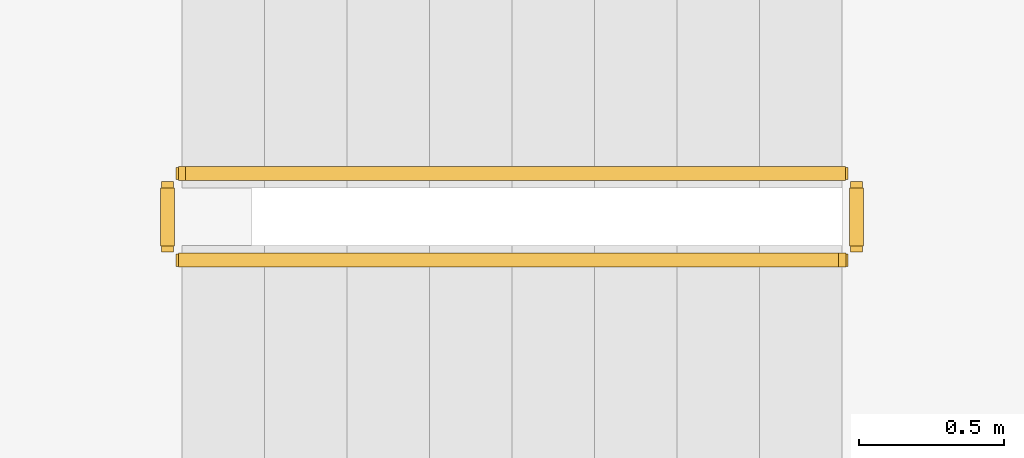
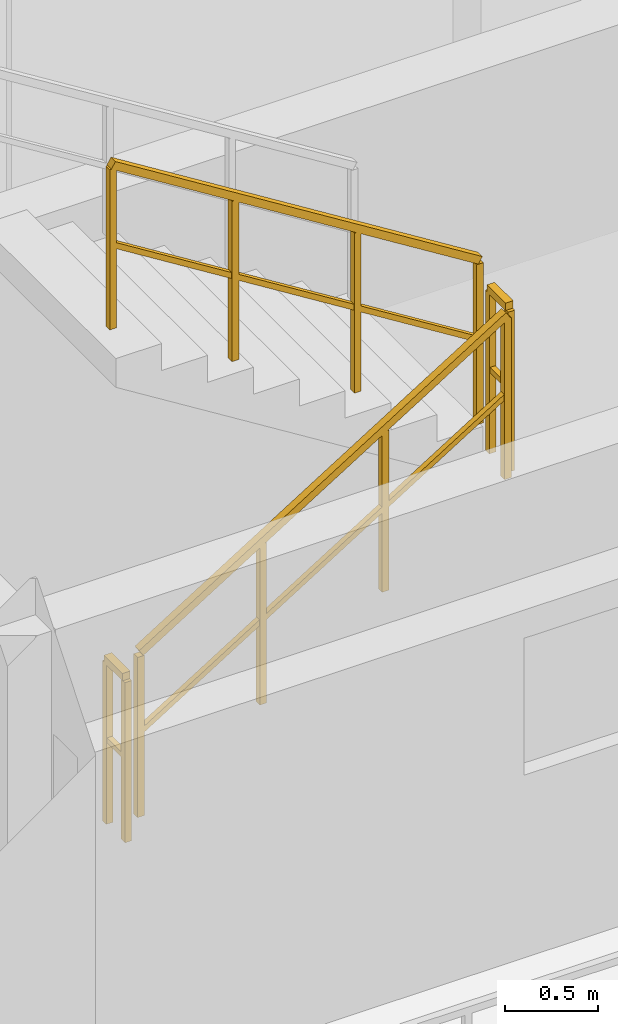
# One storey, part 68 of 78: 4 railings.
"""IFC4 building model written with IfcOpenShell, lengths in metres."""

import ifcopenshell
import ifcopenshell.guid

model = None  # the IFC model being written
_history = None  # IfcOwnerHistory: only IFC2X3 demands one
_inside = {}  # id of a spatial element -> (the spatial element, [elements in it])
_under = {}  # id of a project, library or spatial element -> (it, [spatial elements below it])
_declared = {}  # id of a project -> (the project, [libraries it declares])
_typed = {}  # id of a type object -> (the type object, [elements of that type])
_made_of = {}  # id of a material, layer set ... -> (it, [elements and type objects made of it])


def new_model(schema):
    """Start an empty IFC model of exactly this schema.

    Asked for "IFC4X3", IfcOpenShell would pick the latest addendum, in which some entities
    have other attributes; the version numbers below select the first issue.
    IFC2X3 requires an IfcOwnerHistory on every rooted entity: one is made here for all.
    """
    global model, _history
    if schema == "IFC4X3":
        model = ifcopenshell.file(schema_version=(4, 3, 0, 0))
    else:
        model = ifcopenshell.file(schema=schema)
    _inside.clear()
    _under.clear()
    _declared.clear()
    _typed.clear()
    _made_of.clear()
    _history = None
    if model.schema == "IFC2X3":
        org = make("IfcOrganization", Name="unknown")
        user = make(
            "IfcPersonAndOrganization",
            ThePerson=make("IfcPerson", FamilyName="unknown"),
            TheOrganization=org,
        )
        app = make(
            "IfcApplication",
            ApplicationDeveloper=org,
            Version="unknown",
            ApplicationFullName="unknown",
            ApplicationIdentifier="unknown",
        )
        _history = make(
            "IfcOwnerHistory",
            OwningUser=user,
            OwningApplication=app,
            ChangeAction="ADDED",
            CreationDate=0,
        )
    return model


def make(cls, **values):
    """One entity of the class cls with the attributes given. An attribute that is None is left unset."""
    return model.create_entity(
        cls, **{name: value for name, value in values.items() if value is not None}
    )


def rooted(cls, **values):
    """An entity with a GlobalId (a new one), such as an element, a storey or a relation."""
    return make(cls, GlobalId=ifcopenshell.guid.new(), OwnerHistory=_history, **values)


def si_unit(unit_type, name, prefix=None):
    """IfcSIUnit, for example si_unit("LENGTHUNIT", "METRE", prefix="MILLI")."""
    return make("IfcSIUnit", UnitType=unit_type, Prefix=prefix, Name=name)


def assignment(units):
    """IfcUnitAssignment: the units of a project."""
    return None if units is None else make("IfcUnitAssignment", Units=units)


def point(xyz):
    """IfcCartesianPoint."""
    return None if xyz is None else make("IfcCartesianPoint", Coordinates=xyz)


def direction(xyz):
    """IfcDirection."""
    return None if xyz is None else make("IfcDirection", DirectionRatios=xyz)


def frame(location, z_axis=None, x_axis=None):
    """IfcAxis2Placement3D, a coordinate frame: its origin and axes. An axis left out is left unset."""
    return make(
        "IfcAxis2Placement3D",
        Location=point(location),
        Axis=direction(z_axis),
        RefDirection=direction(x_axis),
    )


def frame_2d(location, x_axis=None):
    """IfcAxis2Placement2D, a coordinate frame in the plane: its origin and x axis."""
    return make(
        "IfcAxis2Placement2D", Location=point(location), RefDirection=direction(x_axis)
    )


def origin():
    """The frame at (0, 0, 0) with its axes left unset."""
    return frame((0.0, 0.0, 0.0))


def origin_2d():
    """The frame at (0, 0) in the plane with its x axis left unset."""
    return frame_2d((0.0, 0.0))


def place(relative_to, where):
    """IfcLocalPlacement: puts the frame where relative to a parent placement (None: the world)."""
    return make(
        "IfcLocalPlacement", PlacementRelTo=relative_to, RelativePlacement=where
    )


def context(
    kind, dimensions, precision=None, world=None, true_north=None, identifier=None
):
    """IfcGeometricRepresentationContext, for example the 3D "Model" context."""
    return make(
        "IfcGeometricRepresentationContext",
        ContextIdentifier=identifier,
        ContextType=kind,
        CoordinateSpaceDimension=dimensions,
        Precision=precision,
        WorldCoordinateSystem=world,
        TrueNorth=true_north,
    )


def subcontext(parent, identifier, kind, view, scale=None):
    """IfcGeometricRepresentationSubContext, for example "Body" below "Model"."""
    return make(
        "IfcGeometricRepresentationSubContext",
        ContextIdentifier=identifier,
        ContextType=kind,
        ParentContext=parent,
        TargetScale=scale,
        TargetView=view,
    )


def project(units=None, contexts=None):
    """IfcProject with its units and contexts."""
    return rooted(
        "IfcProject",
        Name="project",
        RepresentationContexts=contexts,
        UnitsInContext=assignment(units),
    )


def spatial(cls, under=None, at=None, **own):
    """A site, building, storey or space (cls), placed at a placement, below another one or the project."""
    s = rooted(cls, ObjectPlacement=at, **own)
    if under is not None:
        _under.setdefault(under.id(), (under, []))[1].append(s)
    return s


def profile(cls, at=None, kind="AREA", **sizes):
    """A parametric profile (cls). Its sizes go by their IFC names, for example OverallWidth=200.0."""
    return make(cls, ProfileType=kind, Position=at, **sizes)


def rectangle(**sizes):
    """IfcRectangleProfileDef."""
    return profile("IfcRectangleProfileDef", **sizes)


def extrude(swept, where, along, depth):
    """IfcExtrudedAreaSolid: the profile swept, set in the frame where, extruded along a direction by depth."""
    return make(
        "IfcExtrudedAreaSolid",
        SweptArea=swept,
        Position=where,
        ExtrudedDirection=direction(along),
        Depth=depth,
    )


def shape(context_of_items, identifier, shape_type, items):
    """IfcShapeRepresentation: the items that make up one representation, for example the "Body"."""
    return make(
        "IfcShapeRepresentation",
        ContextOfItems=context_of_items,
        RepresentationIdentifier=identifier,
        RepresentationType=shape_type,
        Items=items,
    )


def material(Name=None, Category=None):
    """IfcMaterial."""
    return make("IfcMaterial", Name=Name, Category=Category)


def made_of(thing, what):
    """Note that an element or type object is made of a material, layer set ...; save() writes the relation."""
    if what is not None:
        _made_of.setdefault(what.id(), (what, []))[1].append(thing)
    return thing


def type_object(cls, material=None, **own):
    """A type object (cls), such as IfcWallType, which elements share."""
    return made_of(rooted(cls, **own), material)


def element(
    cls,
    number,
    at=None,
    inside=None,
    cuts=None,
    type_object=None,
    material=None,
    context=None,
    identifier="Body",
    shape_type=None,
    held_by="IfcProductDefinitionShape",
    body=None,
    shapes=None,
    **own,
):
    """One element of the class cls, such as IfcWall. Its Tag is "e" and its number.

    at: its placement. inside: the storey or other place that contains it. cuts: it is an
    opening in that element (IfcRelVoidsElement). A single representation is given by context,
    identifier, shape_type and body (its items); several are given by shapes. held_by: the class
    of the entity that holds the representations. save() writes the other relations.
    """
    e = rooted(cls, Tag="e%d" % number, ObjectPlacement=at, **own)
    if body is not None:
        shapes = [shape(context, identifier, shape_type, body)]
    if shapes is not None:
        e.Representation = make(held_by, Representations=shapes)
    if inside is not None:
        _inside.setdefault(inside.id(), (inside, []))[1].append(e)
    if cuts is not None:
        rooted(
            "IfcRelVoidsElement", RelatingBuildingElement=cuts, RelatedOpeningElement=e
        )
    if type_object is not None:
        _typed.setdefault(type_object.id(), (type_object, []))[1].append(e)
    return made_of(e, material)


def aggregate(whole, parts):
    """IfcRelAggregates: a whole, such as a stair, and the parts it consists of."""
    return rooted("IfcRelAggregates", RelatingObject=whole, RelatedObjects=parts)


def save(model, path):
    """Write the relations noted so far, then the file.

    IfcRelAggregates (storeys below a building ...), IfcRelContainedInSpatialStructure (elements
    in a storey), IfcRelDefinesByType, IfcRelAssociatesMaterial and IfcRelDeclares: one each for
    every whole, place, type object, material and project.
    """
    for whole, parts in _under.values():
        aggregate(whole, parts)
    for where, things in _inside.values():
        rooted(
            "IfcRelContainedInSpatialStructure",
            RelatedElements=things,
            RelatingStructure=where,
        )
    for kind, things in _typed.values():
        rooted("IfcRelDefinesByType", RelatedObjects=things, RelatingType=kind)
    for what, things in _made_of.values():
        rooted("IfcRelAssociatesMaterial", RelatedObjects=things, RelatingMaterial=what)
    for by, libraries in _declared.values():
        rooted("IfcRelDeclares", RelatingContext=by, RelatedDefinitions=libraries)
    model.write(path)


model = new_model("IFC4")

# Units and contexts
model_context = context("Model", 3, precision=1e-05, world=origin(), true_north=direction((0.0, 1.0)))
body_context = subcontext(model_context, "Body", "Model", "MODEL_VIEW")
ifc_project = project(units=[si_unit("LENGTHUNIT", "METRE"), si_unit("AREAUNIT", "SQUARE_METRE"), si_unit("VOLUMEUNIT", "CUBIC_METRE"), si_unit("PLANEANGLEUNIT", "RADIAN"), si_unit("MASSUNIT", "GRAM", prefix="KILO")], contexts=[model_context])

# Site, building, storey
site_placement = place(None, origin())
site = spatial("IfcSite", under=ifc_project, at=site_placement, CompositionType="ELEMENT")
building_placement = place(site_placement, origin())
building = spatial("IfcBuilding", under=site, at=building_placement, Name="Suanplinth Sawtooth Commons", CompositionType="ELEMENT")
storey_placement = place(building_placement, frame((0.0, 0.0, 15.39990234375)))
storey = spatial("IfcBuildingStorey", under=building, at=storey_placement, Name="L04", CompositionType="ELEMENT", Elevation=15.39990234375)

# Railings
ifc_material = material(Name="Stainless steel Grade 304", Category="steel")
railing_type = type_object("IfcRailingType", Name="GR-04", PredefinedType="GUARDRAIL", material=ifc_material)
railing_1_placement = place(storey_placement, frame((45.050048828125, 109.85009765625, 0.177978515625)))
element("IfcRailing", 1, at=railing_1_placement, inside=storey, type_object=railing_type, Name="L04 ST-N1 Guard 1", PredefinedType="GUARDRAIL", context=body_context, shape_type="SweptSolid", body=[
    extrude(rectangle(XDim=0.048095703125, YDim=0.048095703125, at=origin_2d()), frame((0.0, 0.0, 1.076171875), z_axis=(0.848482842525, 0.0, 0.529222888715), x_axis=(0.0, 1.0, 0.0)), (0.0, 0.0, 1.0), 2.687255859375),
    extrude(rectangle(XDim=0.03369140625, YDim=0.03369140625, at=origin_2d()), frame((0.0, 0.0, 0.550048828125), z_axis=(0.848482842525, 0.0, 0.529222888715), x_axis=(0.0, 1.0, 0.0)), (0.0, 0.0, 1.0), 2.687255859375),
    extrude(rectangle(XDim=0.0419921875, YDim=0.0419921875, at=origin_2d()), origin(), (0.0, 0.0, 1.0), 1.052001953125),
    extrude(rectangle(XDim=0.0419921875, YDim=0.0419921875, at=origin_2d()), frame((0.760009765625, 0.0, 0.47412109375)), (0.0, 0.0, 1.0), 1.052001953125),
    extrude(rectangle(XDim=0.0419921875, YDim=0.0419921875, at=origin_2d()), frame((1.52001953125, 0.0, 0.947998046875)), (0.0, 0.0, 1.0), 1.052001953125),
    extrude(rectangle(XDim=0.0419921875, YDim=0.0419921875, at=origin_2d()), frame((2.280029296875, 0.0, 1.422119140625)), (0.0, 0.0, 1.0), 1.052001953125),
])
railing_2_placement = place(storey_placement, frame((47.3798828125, 109.89990234375, 1.60009765625)))
element("IfcRailing", 2, at=railing_2_placement, inside=storey, type_object=railing_type, Name="L04 ST-N1 Guard 2", PredefinedType="GUARDRAIL", context=body_context, shape_type="SweptSolid", body=[
    extrude(rectangle(XDim=0.048095703125, YDim=0.048095703125, at=origin_2d()), frame((0.0, 0.0, 1.076171875), z_axis=(0.0, 1.0, 0.0), x_axis=(-1.0, 0.0, 0.0)), (0.0, 0.0, 1.0), 0.2001953125),
    extrude(rectangle(XDim=0.03369140625, YDim=0.03369140625, at=origin_2d()), frame((0.0, 0.0, 0.550048828125), z_axis=(0.0, 1.0, 0.0), x_axis=(-1.0, 0.0, 0.0)), (0.0, 0.0, 1.0), 0.2001953125),
    extrude(rectangle(XDim=0.0419921875, YDim=0.0419921875, at=origin_2d()), origin(), (0.0, 0.0, 1.0), 1.052001953125),
    extrude(rectangle(XDim=0.0419921875, YDim=0.0419921875, at=origin_2d()), frame((0.0, 0.2001953125, 0.0)), (0.0, 0.0, 1.0), 1.052001953125),
])
railing_3_placement = place(storey_placement, frame((47.330078125, 110.14990234375, 1.77783203125)))
element("IfcRailing", 3, at=railing_3_placement, inside=storey, type_object=railing_type, Name="L04 ST-N1 Guard 3", PredefinedType="GUARDRAIL", context=body_context, shape_type="SweptSolid", body=[
    extrude(rectangle(XDim=0.048095703125, YDim=0.048095703125, at=origin_2d()), frame((0.0, 0.0, 1.076171875), z_axis=(-0.848442045328, 0.0, 0.529288291689), x_axis=(0.0, -1.0, 0.0)), (0.0, 0.0, 1.0), 2.687255859375),
    extrude(rectangle(XDim=0.03369140625, YDim=0.03369140625, at=origin_2d()), frame((0.0, 0.0, 0.550048828125), z_axis=(-0.848442045328, 0.0, 0.529288291689), x_axis=(0.0, -1.0, 0.0)), (0.0, 0.0, 1.0), 2.687255859375),
    extrude(rectangle(XDim=0.0419921875, YDim=0.0419921875, at=origin_2d()), origin(), (0.0, 0.0, 1.0), 1.052001953125),
    extrude(rectangle(XDim=0.0419921875, YDim=0.0419921875, at=origin_2d()), frame((-0.760009765625, 0.0, 0.47412109375)), (0.0, 0.0, 1.0), 1.052001953125),
    extrude(rectangle(XDim=0.0419921875, YDim=0.0419921875, at=origin_2d()), frame((-1.52001953125, 0.0, 0.9482421875)), (0.0, 0.0, 1.0), 1.052001953125),
    extrude(rectangle(XDim=0.0419921875, YDim=0.0419921875, at=origin_2d()), frame((-2.280029296875, 0.0, 1.42236328125)), (0.0, 0.0, 1.0), 1.052001953125),
])
railing_4_placement = place(storey_placement, frame((45.0, 109.89990234375, 0.0)))
element("IfcRailing", 4, at=railing_4_placement, inside=storey, type_object=railing_type, Name="L04 ST-N1 Guard 4", PredefinedType="GUARDRAIL", context=body_context, shape_type="SweptSolid", body=[
    extrude(rectangle(XDim=0.048095703125, YDim=0.048095703125, at=origin_2d()), frame((0.0, 0.0, 1.076171875), z_axis=(0.0, 1.0, 0.0), x_axis=(-1.0, 0.0, 0.0)), (0.0, 0.0, 1.0), 0.2001953125),
    extrude(rectangle(XDim=0.03369140625, YDim=0.03369140625, at=origin_2d()), frame((0.0, 0.0, 0.550048828125), z_axis=(0.0, 1.0, 0.0), x_axis=(-1.0, 0.0, 0.0)), (0.0, 0.0, 1.0), 0.2001953125),
    extrude(rectangle(XDim=0.0419921875, YDim=0.0419921875, at=origin_2d()), origin(), (0.0, 0.0, 1.0), 1.052001953125),
    extrude(rectangle(XDim=0.0419921875, YDim=0.0419921875, at=origin_2d()), frame((0.0, 0.2001953125, 0.0)), (0.0, 0.0, 1.0), 1.052001953125),
])

save(model, "model.ifc")
